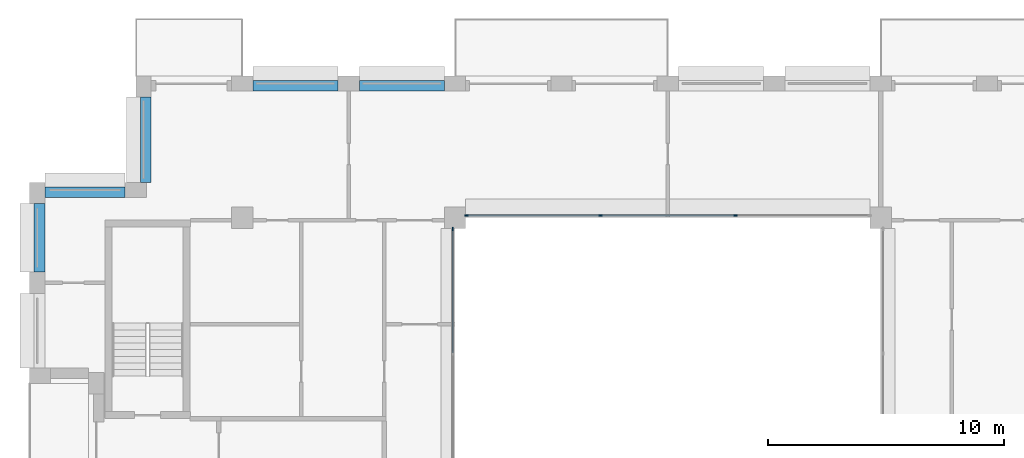
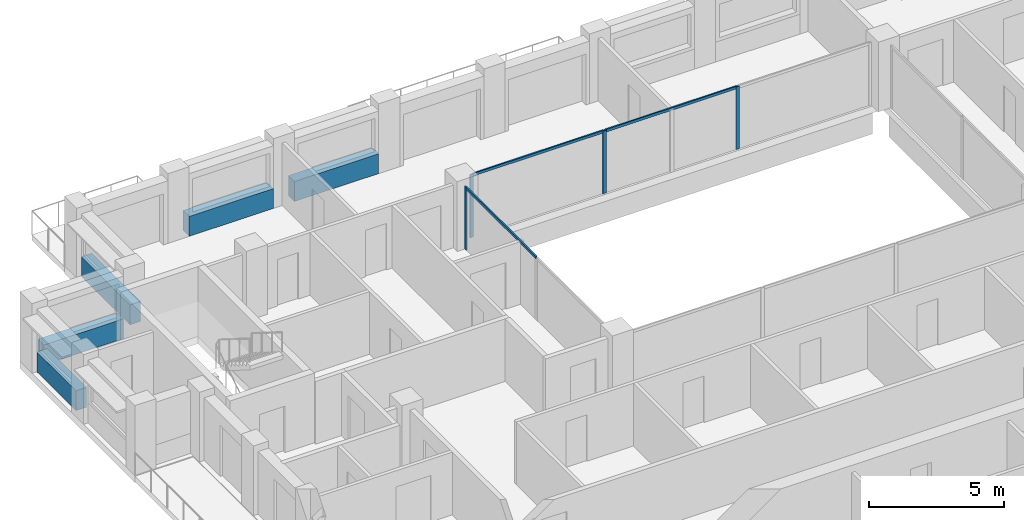
# One storey, part 5 of 15: 7 members, 5 beams, 2 elements without a shape of their own.
"""IFC4 building model written with IfcOpenShell, lengths in metres."""

from ifc_helpers import new_model, si_unit, direction, frame, origin, origin_2d, place, context, subcontext, project, spatial, rectangle, extrude, material, layer, layer_set, material_profile, profile_set, type_object, element, aggregate, save


model = new_model("IFC4")

# Units and contexts
model_context = context("Model", 3, precision=1e-05, world=origin(), true_north=direction((0.0, 1.0)))
body_context = subcontext(model_context, "Body", "Model", "MODEL_VIEW")
ifc_project = project(units=[si_unit("LENGTHUNIT", "METRE"), si_unit("AREAUNIT", "SQUARE_METRE"), si_unit("VOLUMEUNIT", "CUBIC_METRE"), si_unit("PLANEANGLEUNIT", "RADIAN"), si_unit("MASSUNIT", "GRAM", prefix="KILO")], contexts=[model_context])

# Site, building, storey
site_placement = place(None, origin())
site = spatial("IfcSite", under=ifc_project, at=site_placement, CompositionType="ELEMENT")
building_placement = place(site_placement, origin())
building = spatial("IfcBuilding", under=site, at=building_placement, Name="Brigalow Station Residences", CompositionType="ELEMENT")
storey_placement = place(building_placement, frame((0.0, 0.0, 210.60009765625)))
storey = spatial("IfcBuildingStorey", under=building, at=storey_placement, Name="L60", CompositionType="ELEMENT", Elevation=210.60009765625)

# Curtain wall, members
ifc_material_1 = material(Name="Aluminium", Category="aluminium")
ifc_layer = layer(ifc_material_1, 0.14990234375)
ifc_layer_set = layer_set([ifc_layer], Name="ATRIUM FIRE-RATED GLAZING CURTAIN WALL")
curtain_wall_type = type_object("IfcCurtainWallType", Name="ATRIUM FIRE-RATED GLAZING CURTAIN WALL", PredefinedType="NOTDEFINED", material=ifc_layer_set)
curtain_wall_1_placement = place(storey_placement, origin())
curtain_wall_1 = element("IfcCurtainWall", 1, at=curtain_wall_1_placement, inside=storey, type_object=curtain_wall_type, Name="L60/cw/atrium-N", PredefinedType="NOTDEFINED")
ifc_material_2 = material(Name="Aluminium", Category="aluminium")
ifc_material_profile_1 = material_profile(ifc_material_2, rectangle(XDim=0.06005859375, YDim=0.14990234375, at=origin_2d()), Name="ATRIUM FIRE-RATED GLAZING MULLION 60x150")
ifc_profile_set_1 = profile_set([ifc_material_profile_1], Name="Aluminium")
member_type_1 = type_object("IfcMemberType", Name="ATRIUM FIRE-RATED GLAZING MULLION 60x150", PredefinedType="MULLION", material=ifc_profile_set_1)
member_1_placement = place(storey_placement, frame((38.85009765625, 35.60009765625, 0.0), z_axis=(0.0, 0.0, 1.0), x_axis=(0.0, -1.0, 0.0)))
member_1 = element("IfcMember", 2, at=member_1_placement, type_object=member_type_1, Name="L60/cw/atrium-N/M01", PredefinedType="MULLION", context=body_context, shape_type="SweptSolid", body=[
    extrude(rectangle(XDim=0.06005859375, YDim=0.14990234375, at=origin_2d()), origin(), (0.0, 0.0, 1.0), 2.829833984375),
])
member_2_placement = place(storey_placement, frame((33.14990234375, 35.60009765625, 0.0), z_axis=(0.0, 0.0, 1.0), x_axis=(0.0, -1.0, 0.0)))
member_2 = element("IfcMember", 3, at=member_2_placement, type_object=member_type_1, Name="L60/cw/atrium-N/M02", PredefinedType="MULLION", context=body_context, shape_type="SweptSolid", body=[
    extrude(rectangle(XDim=0.06005859375, YDim=0.14990234375, at=origin_2d()), origin(), (0.0, 0.0, 1.0), 2.829833984375),
])
member_3_placement = place(storey_placement, frame((27.47998046875, 35.60009765625, 0.0), z_axis=(0.0, 0.0, 1.0), x_axis=(0.0, -1.0, 0.0)))
member_3 = element("IfcMember", 4, at=member_3_placement, type_object=member_type_1, Name="L60/cw/atrium-N/M03", PredefinedType="MULLION", context=body_context, shape_type="SweptSolid", body=[
    extrude(rectangle(XDim=0.06005859375, YDim=0.14990234375, at=origin_2d()), origin(), (0.0, 0.0, 1.0), 2.829833984375),
])

# Curtain wall, member
curtain_wall_2_placement = place(storey_placement, origin())
curtain_wall_2 = element("IfcCurtainWall", 5, at=curtain_wall_2_placement, inside=storey, type_object=curtain_wall_type, Name="L60/cw/atrium-W", PredefinedType="NOTDEFINED")
member_4_placement = place(storey_placement, frame((26.89990234375, 35.02001953125, 0.0), z_axis=(0.0, 0.0, 1.0), x_axis=(1.0, 0.0, 0.0)))
member_4 = element("IfcMember", 6, at=member_4_placement, type_object=member_type_1, Name="L60/cw/atrium-W/M00", PredefinedType="MULLION", context=body_context, shape_type="SweptSolid", body=[
    extrude(rectangle(XDim=0.06005859375, YDim=0.14990234375, at=origin_2d()), origin(), (0.0, 0.0, 1.0), 2.829833984375),
])

# Member
ifc_material_3 = material(Name="Aluminium", Category="aluminium")
ifc_material_profile_2 = material_profile(ifc_material_3, rectangle(XDim=0.06005859375, YDim=0.1201171875, at=origin_2d()), Name="ATRIUM FIRE-RATED GLAZING TRANSOM 60x120")
ifc_profile_set_2 = profile_set([ifc_material_profile_2], Name="Aluminium")
member_type_2 = type_object("IfcMemberType", Name="ATRIUM FIRE-RATED GLAZING TRANSOM 60x120", PredefinedType="USERDEFINED", material=ifc_profile_set_2)
member_5_placement = place(storey_placement, frame((38.820068359375, 35.60009765625, 2.7998046875), z_axis=(-1.0, 0.0, 0.0), x_axis=(0.0, -1.0, 0.0)))
member_5 = element("IfcMember", 7, at=member_5_placement, type_object=member_type_2, Name="L60/cw/atrium-N/T01-00", ObjectType="TRANSOM", PredefinedType="USERDEFINED", context=body_context, shape_type="SweptSolid", body=[
    extrude(rectangle(XDim=0.06005859375, YDim=0.1201171875, at=origin_2d()), origin(), (0.0, 0.0, 1.0), 5.64013671875),
])

member_6_placement = place(storey_placement, frame((33.1201171875, 35.60009765625, 2.7998046875), z_axis=(-1.0, 0.0, 0.0), x_axis=(0.0, -1.0, 0.0)))
member_6 = element("IfcMember", 8, at=member_6_placement, type_object=member_type_2, Name="L60/cw/atrium-N/T02-00", ObjectType="TRANSOM", PredefinedType="USERDEFINED", context=body_context, shape_type="SweptSolid", body=[
    extrude(rectangle(XDim=0.06005859375, YDim=0.1201171875, at=origin_2d()), origin(), (0.0, 0.0, 1.0), 5.610107421875),
])

aggregate(curtain_wall_1, [member_1, member_2, member_3, member_5, member_6])

member_7_placement = place(storey_placement, frame((26.89990234375, 34.989990234375, 2.7998046875), z_axis=(0.0, -1.0, 0.0), x_axis=(1.0, 0.0, 0.0)))
member_7 = element("IfcMember", 9, at=member_7_placement, type_object=member_type_2, Name="L60/cw/atrium-W/T00-00", ObjectType="TRANSOM", PredefinedType="USERDEFINED", context=body_context, shape_type="SweptSolid", body=[
    extrude(rectangle(XDim=0.06005859375, YDim=0.1201171875, at=origin_2d()), origin(), (0.0, 0.0, 1.0), 5.2099609375),
])

aggregate(curtain_wall_2, [member_4, member_7])

# Beams
ifc_material_4 = material(Name="Concrete C50", Category="concrete")
ifc_material_profile_3 = material_profile(ifc_material_4, rectangle(XDim=0.449951171875, YDim=0.89990234375, at=origin_2d()), Name="RC450x900")
ifc_profile_set_3 = profile_set([ifc_material_profile_3], Name="Concrete C50")
beam_type = type_object("IfcBeamType", Name="SPANDREL BEAM 450x900 C50", PredefinedType="SPANDREL", material=ifc_profile_set_3)
for number, where, z_axis, x_axis, name in (
    (10, (26.550048828125, 41.074951171875, 0.449951171875), (-1.0, 0.0, 0.0), (0.0, -1.0, 0.0), "L60/spandrel/W-L60-29"),
    (11, (22.050048828125, 41.074951171875, 0.449951171875), (-1.0, 0.0, 0.0), (0.0, -1.0, 0.0), "L60/spandrel/W-L60-30"),
    (12, (13.925048828125, 40.60009765625, 0.449951171875), (0.0, -1.0, 0.0), (1.0, 0.0, 0.0), "L60/spandrel/W-L60-32"),
):
    element("IfcBeam", number, at=place(storey_placement, frame(where, z_axis=z_axis, x_axis=x_axis)), inside=storey, type_object=beam_type, Name=name, PredefinedType="SPANDREL", context=body_context, shape_type="SweptSolid", body=[
        extrude(rectangle(XDim=0.449951171875, YDim=0.89990234375, at=origin_2d()), origin(), (0.0, 0.0, 1.0), 3.60009765625),
    ])
beam_1_placement = place(storey_placement, frame((13.050048828125, 36.574951171875, 0.449951171875), z_axis=(-1.0, 0.0, 0.0), x_axis=(0.0, -1.0, 0.0)))
element("IfcBeam", 13, at=beam_1_placement, inside=storey, type_object=beam_type, Name="L60/spandrel/W-L60-33", PredefinedType="SPANDREL", context=body_context, shape_type="SweptSolid", body=[
    extrude(rectangle(XDim=0.449951171875, YDim=0.89990234375, at=origin_2d()), origin(), (0.0, 0.0, 1.0), 3.400146484375),
])
beam_2_placement = place(storey_placement, frame((9.425048828125, 36.10009765625, 0.449951171875), z_axis=(0.0, -1.0, 0.0), x_axis=(1.0, 0.0, 0.0)))
element("IfcBeam", 14, at=beam_2_placement, inside=storey, type_object=beam_type, Name="L60/spandrel/W-L60-34", PredefinedType="SPANDREL", context=body_context, shape_type="SweptSolid", body=[
    extrude(rectangle(XDim=0.449951171875, YDim=0.89990234375, at=origin_2d()), origin(), (0.0, 0.0, 1.0), 2.900146484375),
])

save(model, "model.ifc")
